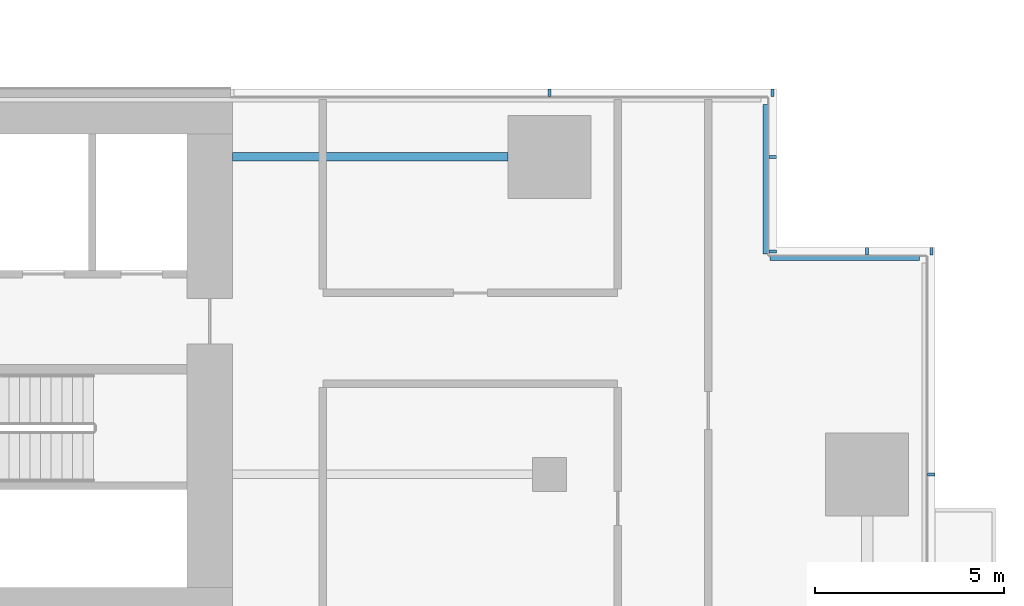
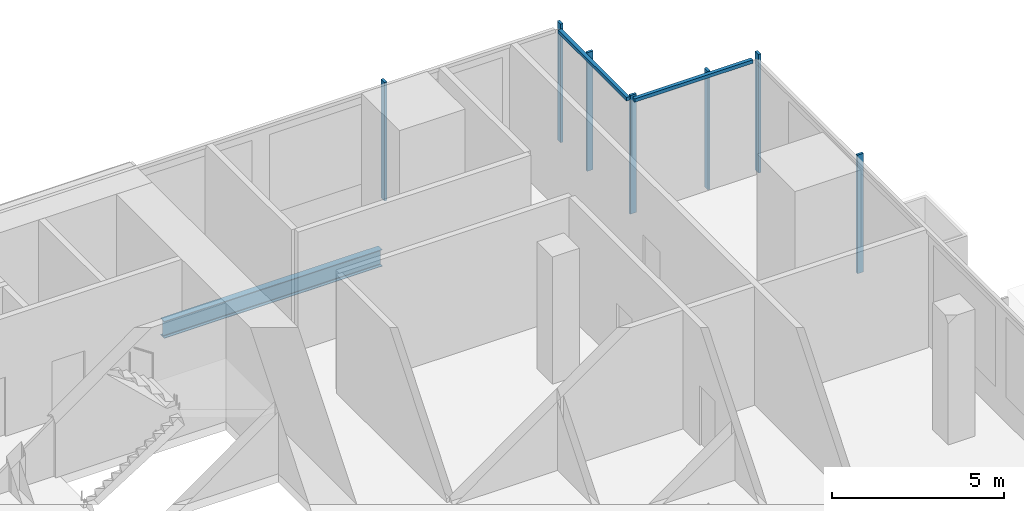
# One storey, part 10 of 24: 9 members, 1 beam, 4 elements without a shape of their own.
"""IFC4 building model written with IfcOpenShell, lengths in metres."""

from ifc_helpers import new_model, si_unit, direction, frame, origin, origin_2d, place, context, subcontext, project, spatial, rectangle, i_section, extrude, material, material_profile, profile_set, type_object, element, aggregate, save


model = new_model("IFC4")

# Units and contexts
model_context = context("Model", 3, precision=1e-05, world=origin(), true_north=direction((0.0, 1.0)))
body_context = subcontext(model_context, "Body", "Model", "MODEL_VIEW")
ifc_project = project(units=[si_unit("LENGTHUNIT", "METRE"), si_unit("AREAUNIT", "SQUARE_METRE"), si_unit("VOLUMEUNIT", "CUBIC_METRE"), si_unit("PLANEANGLEUNIT", "RADIAN"), si_unit("MASSUNIT", "GRAM", prefix="KILO")], contexts=[model_context])

# Site, building, storey
site_placement = place(None, origin())
site = spatial("IfcSite", under=ifc_project, at=site_placement, CompositionType="ELEMENT")
building_placement = place(site_placement, origin())
building = spatial("IfcBuilding", under=site, at=building_placement, Name="Saffron Gate Tower", CompositionType="ELEMENT")
storey_placement = place(building_placement, frame((0.0, 0.0, 28.199951171875)))
storey = spatial("IfcBuildingStorey", under=building, at=storey_placement, Name="L05", CompositionType="ELEMENT", Elevation=28.199951171875)

# Beam
ifc_material_1 = material(Name="Structural steel S355", Category="steel")
ifc_material_profile_1 = material_profile(ifc_material_1, i_section(OverallWidth=0.219970703125, OverallDepth=0.60009765625, WebThickness=0.011962890625, FlangeThickness=0.01904296875, FilletRadius=0.02392578125, at=origin_2d()))
ifc_profile_set_1 = profile_set([ifc_material_profile_1], Name="Structural steel S355")
beam_type = type_object("IfcBeamType", Name="B15 IPE 600", PredefinedType="BEAM", material=ifc_profile_set_1)
beam_placement = place(storey_placement, frame((115.89990234375, 73.800048828125, -0.599853515625), z_axis=(-1.0, 0.0, 0.0), x_axis=(0.0, -1.0, 0.0)))
element("IfcBeam", 1, at=beam_placement, inside=storey, type_object=beam_type, Name="B15 CORE TIE BEAM", PredefinedType="BEAM", context=body_context, shape_type="SweptSolid", body=[
    extrude(i_section(OverallWidth=0.219970703125, OverallDepth=0.60009765625, WebThickness=0.011962890625, FlangeThickness=0.01904296875, FilletRadius=0.02392578125, at=origin_2d()), origin(), (0.0, 0.0, 1.0), 7.2998046875),
])

# Curtain wall, member
ifc_material_2 = material(Name="Aluminium, bronze anodised", Category="aluminium")
curtain_wall_type = type_object("IfcCurtainWallType", Name="CWS6 curtain wall tall storeys", PredefinedType="NOTDEFINED", material=ifc_material_2)
curtain_wall_1_placement = place(storey_placement, origin())
curtain_wall_1 = element("IfcCurtainWall", 2, at=curtain_wall_1_placement, inside=storey, type_object=curtain_wall_type, Name="CWS6 run 5", PredefinedType="NOTDEFINED")
ifc_material_profile_2 = material_profile(ifc_material_2, rectangle(XDim=0.1201171875, YDim=0.1201171875, at=origin_2d()))
ifc_profile_set_2 = profile_set([ifc_material_profile_2], Name="Aluminium, bronze anodised")
member_type_1 = type_object("IfcMemberType", Name="CWS6 head transom", PredefinedType="USERDEFINED", material=ifc_profile_set_2)
member_1_placement = place(storey_placement, frame((126.7919921875, 71.112060546875, 4.14013671875), z_axis=(-1.0, 0.0, 0.0), x_axis=(0.0, -1.0, 0.0)))
member_1 = element("IfcMember", 3, at=member_1_placement, type_object=member_type_1, Name="CWS6 head transom", ObjectType="TRANSOM", PredefinedType="USERDEFINED", context=body_context, shape_type="SweptSolid", body=[
    extrude(rectangle(XDim=0.1201171875, YDim=0.1201171875, at=origin_2d()), origin(), (0.0, 0.0, 1.0), 3.9599609375),
])

curtain_wall_2_placement = place(storey_placement, origin())
curtain_wall_2 = element("IfcCurtainWall", 4, at=curtain_wall_2_placement, inside=storey, type_object=curtain_wall_type, Name="CWS6 run 6", PredefinedType="NOTDEFINED")
member_2_placement = place(storey_placement, frame((122.7119140625, 71.23193359375, 4.14013671875), z_axis=(0.0, 1.0, 0.0), x_axis=(-1.0, 0.0, 0.0)))
member_2 = element("IfcMember", 5, at=member_2_placement, type_object=member_type_1, Name="CWS6 head transom", ObjectType="TRANSOM", PredefinedType="USERDEFINED", context=body_context, shape_type="SweptSolid", body=[
    extrude(rectangle(XDim=0.1201171875, YDim=0.1201171875, at=origin_2d()), origin(), (0.0, 0.0, 1.0), 3.9599609375),
])

curtain_wall_3_placement = place(storey_placement, origin())
curtain_wall_3 = element("IfcCurtainWall", 6, at=curtain_wall_3_placement, inside=storey, type_object=curtain_wall_type, Name="CWS6 run 4", PredefinedType="NOTDEFINED")
ifc_material_profile_3 = material_profile(ifc_material_2, rectangle(XDim=0.199951171875, YDim=0.080078125, at=origin_2d()))
ifc_profile_set_3 = profile_set([ifc_material_profile_3], Name="Aluminium, bronze anodised")
member_type_2 = type_object("IfcMemberType", Name="CWS6 mullion 80x200", PredefinedType="MULLION", material=ifc_profile_set_3)
member_3_placement = place(storey_placement, frame((127.10009765625, 65.39990234375, 0.0), z_axis=(0.0, 0.0, 1.0), x_axis=(-1.0, 0.0, 0.0)))
member_3 = element("IfcMember", 7, at=member_3_placement, type_object=member_type_2, Name="CWS6 mullion 5", PredefinedType="MULLION", context=body_context, shape_type="SweptSolid", body=[
    extrude(rectangle(XDim=0.199951171875, YDim=0.080078125, at=origin_2d()), origin(), (0.0, 0.0, 1.0), 4.199951171875),
])
aggregate(curtain_wall_3, [member_3])

# Member
member_4_placement = place(storey_placement, frame((127.10009765625, 71.300048828125, 0.0), z_axis=(0.0, 0.0, 1.0), x_axis=(0.0, -1.0, 0.0)))
member_4 = element("IfcMember", 8, at=member_4_placement, type_object=member_type_2, Name="CWS6 mullion 1", PredefinedType="MULLION", context=body_context, shape_type="SweptSolid", body=[
    extrude(rectangle(XDim=0.199951171875, YDim=0.080078125, at=origin_2d()), origin(), (0.0, 0.0, 1.0), 4.199951171875),
])

member_5_placement = place(storey_placement, frame((125.39990234375, 71.300048828125, 0.0), z_axis=(0.0, 0.0, 1.0), x_axis=(0.0, -1.0, 0.0)))
member_5 = element("IfcMember", 9, at=member_5_placement, type_object=member_type_2, Name="CWS6 mullion 2", PredefinedType="MULLION", context=body_context, shape_type="SweptSolid", body=[
    extrude(rectangle(XDim=0.199951171875, YDim=0.080078125, at=origin_2d()), origin(), (0.0, 0.0, 1.0), 4.199951171875),
])

aggregate(curtain_wall_1, [member_4, member_5, member_1])

member_6_placement = place(storey_placement, frame((122.89990234375, 71.300048828125, 0.0), z_axis=(0.0, 0.0, 1.0), x_axis=(-1.0, 0.0, 0.0)))
member_6 = element("IfcMember", 10, at=member_6_placement, type_object=member_type_2, Name="CWS6 mullion 1", PredefinedType="MULLION", context=body_context, shape_type="SweptSolid", body=[
    extrude(rectangle(XDim=0.199951171875, YDim=0.080078125, at=origin_2d()), origin(), (0.0, 0.0, 1.0), 4.199951171875),
])

member_7_placement = place(storey_placement, frame((122.89990234375, 73.800048828125, 0.0), z_axis=(0.0, 0.0, 1.0), x_axis=(-1.0, 0.0, 0.0)))
member_7 = element("IfcMember", 11, at=member_7_placement, type_object=member_type_2, Name="CWS6 mullion 2", PredefinedType="MULLION", context=body_context, shape_type="SweptSolid", body=[
    extrude(rectangle(XDim=0.199951171875, YDim=0.080078125, at=origin_2d()), origin(), (0.0, 0.0, 1.0), 4.199951171875),
])

aggregate(curtain_wall_2, [member_6, member_7, member_2])

# Curtain wall, members
curtain_wall_4_placement = place(storey_placement, origin())
curtain_wall_4 = element("IfcCurtainWall", 12, at=curtain_wall_4_placement, inside=storey, type_object=curtain_wall_type, Name="CWS6 run 7", PredefinedType="NOTDEFINED")
member_8_placement = place(storey_placement, frame((122.89990234375, 75.5, 0.0), z_axis=(0.0, 0.0, 1.0), x_axis=(0.0, -1.0, 0.0)))
member_8 = element("IfcMember", 13, at=member_8_placement, type_object=member_type_2, Name="CWS6 mullion 1", PredefinedType="MULLION", context=body_context, shape_type="SweptSolid", body=[
    extrude(rectangle(XDim=0.199951171875, YDim=0.080078125, at=origin_2d()), origin(), (0.0, 0.0, 1.0), 4.199951171875),
])
member_9_placement = place(storey_placement, frame((117.0, 75.5, 0.0), z_axis=(0.0, 0.0, 1.0), x_axis=(0.0, -1.0, 0.0)))
member_9 = element("IfcMember", 14, at=member_9_placement, type_object=member_type_2, Name="CWS6 mullion 2", PredefinedType="MULLION", context=body_context, shape_type="SweptSolid", body=[
    extrude(rectangle(XDim=0.199951171875, YDim=0.080078125, at=origin_2d()), origin(), (0.0, 0.0, 1.0), 4.199951171875),
])
aggregate(curtain_wall_4, [member_8, member_9])

save(model, "model.ifc")
